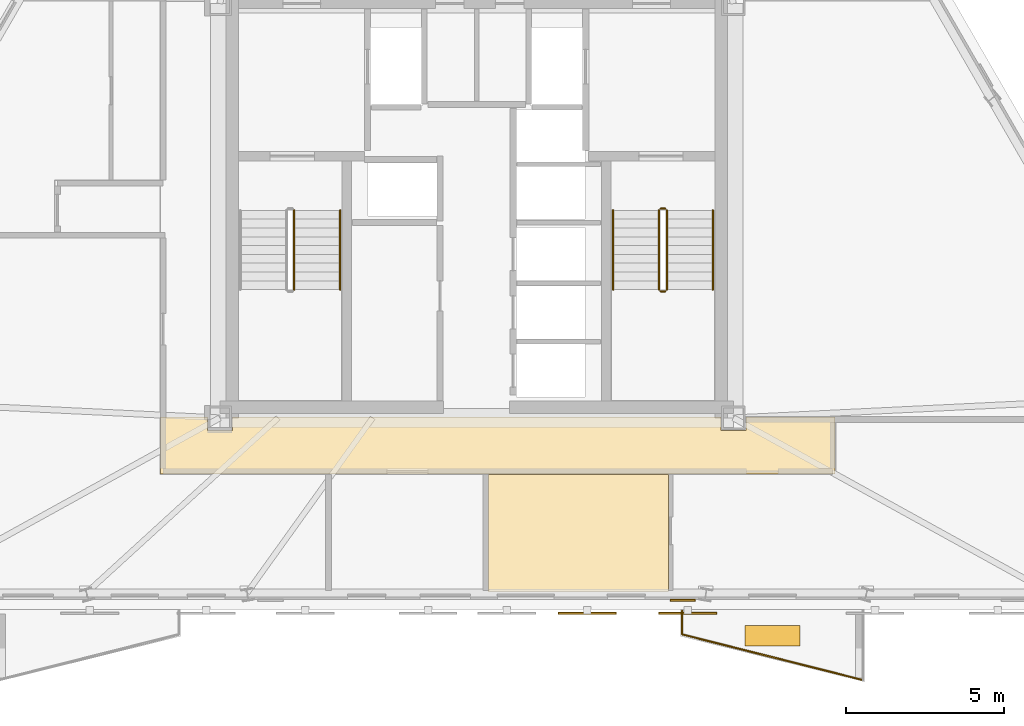
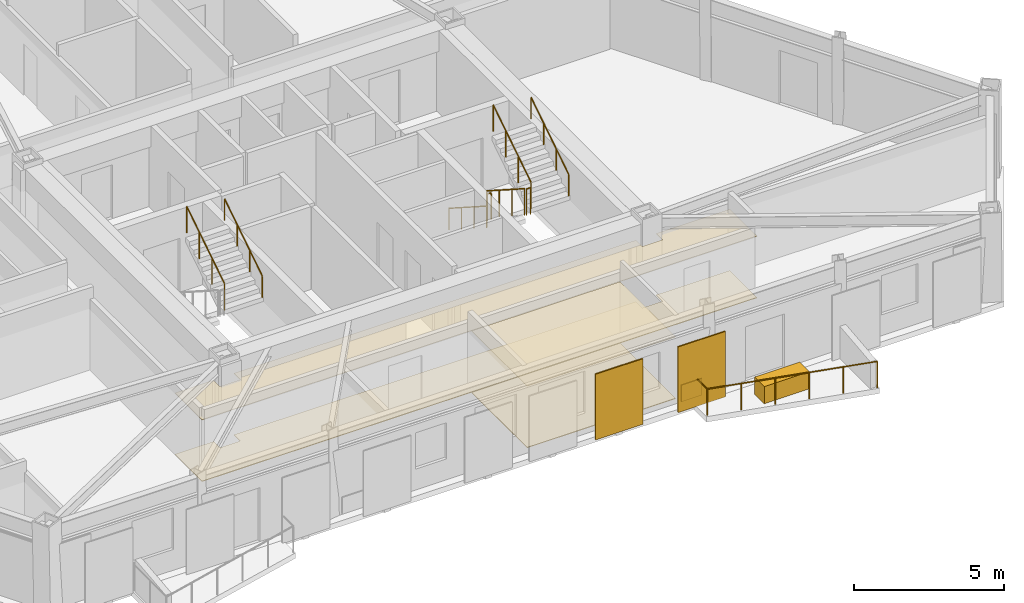
# One storey, part 7 of 9: 10 railings, 6 coverings, 2 shading devices.
"""IFC4 building model written with IfcOpenShell, lengths in metres."""

import ifcopenshell
import ifcopenshell.guid

model = None  # the IFC model being written
_history = None  # IfcOwnerHistory: only IFC2X3 demands one
_inside = {}  # id of a spatial element -> (the spatial element, [elements in it])
_under = {}  # id of a project, library or spatial element -> (it, [spatial elements below it])
_declared = {}  # id of a project -> (the project, [libraries it declares])
_typed = {}  # id of a type object -> (the type object, [elements of that type])
_made_of = {}  # id of a material, layer set ... -> (it, [elements and type objects made of it])


def new_model(schema):
    """Start an empty IFC model of exactly this schema.

    Asked for "IFC4X3", IfcOpenShell would pick the latest addendum, in which some entities
    have other attributes; the version numbers below select the first issue.
    IFC2X3 requires an IfcOwnerHistory on every rooted entity: one is made here for all.
    """
    global model, _history
    if schema == "IFC4X3":
        model = ifcopenshell.file(schema_version=(4, 3, 0, 0))
    else:
        model = ifcopenshell.file(schema=schema)
    _inside.clear()
    _under.clear()
    _declared.clear()
    _typed.clear()
    _made_of.clear()
    _history = None
    if model.schema == "IFC2X3":
        org = make("IfcOrganization", Name="unknown")
        user = make(
            "IfcPersonAndOrganization",
            ThePerson=make("IfcPerson", FamilyName="unknown"),
            TheOrganization=org,
        )
        app = make(
            "IfcApplication",
            ApplicationDeveloper=org,
            Version="unknown",
            ApplicationFullName="unknown",
            ApplicationIdentifier="unknown",
        )
        _history = make(
            "IfcOwnerHistory",
            OwningUser=user,
            OwningApplication=app,
            ChangeAction="ADDED",
            CreationDate=0,
        )
    return model


def make(cls, **values):
    """One entity of the class cls with the attributes given. An attribute that is None is left unset."""
    return model.create_entity(
        cls, **{name: value for name, value in values.items() if value is not None}
    )


def rooted(cls, **values):
    """An entity with a GlobalId (a new one), such as an element, a storey or a relation."""
    return make(cls, GlobalId=ifcopenshell.guid.new(), OwnerHistory=_history, **values)


def si_unit(unit_type, name, prefix=None):
    """IfcSIUnit, for example si_unit("LENGTHUNIT", "METRE", prefix="MILLI")."""
    return make("IfcSIUnit", UnitType=unit_type, Prefix=prefix, Name=name)


def assignment(units):
    """IfcUnitAssignment: the units of a project."""
    return None if units is None else make("IfcUnitAssignment", Units=units)


def point(xyz):
    """IfcCartesianPoint."""
    return None if xyz is None else make("IfcCartesianPoint", Coordinates=xyz)


def direction(xyz):
    """IfcDirection."""
    return None if xyz is None else make("IfcDirection", DirectionRatios=xyz)


def frame(location, z_axis=None, x_axis=None):
    """IfcAxis2Placement3D, a coordinate frame: its origin and axes. An axis left out is left unset."""
    return make(
        "IfcAxis2Placement3D",
        Location=point(location),
        Axis=direction(z_axis),
        RefDirection=direction(x_axis),
    )


def frame_2d(location, x_axis=None):
    """IfcAxis2Placement2D, a coordinate frame in the plane: its origin and x axis."""
    return make(
        "IfcAxis2Placement2D", Location=point(location), RefDirection=direction(x_axis)
    )


def origin():
    """The frame at (0, 0, 0) with its axes left unset."""
    return frame((0.0, 0.0, 0.0))


def origin_2d():
    """The frame at (0, 0) in the plane with its x axis left unset."""
    return frame_2d((0.0, 0.0))


def place(relative_to, where):
    """IfcLocalPlacement: puts the frame where relative to a parent placement (None: the world)."""
    return make(
        "IfcLocalPlacement", PlacementRelTo=relative_to, RelativePlacement=where
    )


def context(
    kind, dimensions, precision=None, world=None, true_north=None, identifier=None
):
    """IfcGeometricRepresentationContext, for example the 3D "Model" context."""
    return make(
        "IfcGeometricRepresentationContext",
        ContextIdentifier=identifier,
        ContextType=kind,
        CoordinateSpaceDimension=dimensions,
        Precision=precision,
        WorldCoordinateSystem=world,
        TrueNorth=true_north,
    )


def subcontext(parent, identifier, kind, view, scale=None):
    """IfcGeometricRepresentationSubContext, for example "Body" below "Model"."""
    return make(
        "IfcGeometricRepresentationSubContext",
        ContextIdentifier=identifier,
        ContextType=kind,
        ParentContext=parent,
        TargetScale=scale,
        TargetView=view,
    )


def project(units=None, contexts=None):
    """IfcProject with its units and contexts."""
    return rooted(
        "IfcProject",
        Name="project",
        RepresentationContexts=contexts,
        UnitsInContext=assignment(units),
    )


def spatial(cls, under=None, at=None, **own):
    """A site, building, storey or space (cls), placed at a placement, below another one or the project."""
    s = rooted(cls, ObjectPlacement=at, **own)
    if under is not None:
        _under.setdefault(under.id(), (under, []))[1].append(s)
    return s


def polyline(points):
    """IfcPolyline through the points."""
    return make("IfcPolyline", Points=[point(p) for p in points])


def profile(cls, at=None, kind="AREA", **sizes):
    """A parametric profile (cls). Its sizes go by their IFC names, for example OverallWidth=200.0."""
    return make(cls, ProfileType=kind, Position=at, **sizes)


def rectangle(**sizes):
    """IfcRectangleProfileDef."""
    return profile("IfcRectangleProfileDef", **sizes)


def circle(**sizes):
    """IfcCircleProfileDef."""
    return profile("IfcCircleProfileDef", **sizes)


def outline(outer, holes=None, kind="AREA"):
    """IfcArbitraryClosedProfileDef: a profile drawn as a closed curve; with holes, ...WithVoids."""
    if holes is None:
        return make("IfcArbitraryClosedProfileDef", ProfileType=kind, OuterCurve=outer)
    return make(
        "IfcArbitraryProfileDefWithVoids",
        ProfileType=kind,
        OuterCurve=outer,
        InnerCurves=holes,
    )


def extrude(swept, where, along, depth):
    """IfcExtrudedAreaSolid: the profile swept, set in the frame where, extruded along a direction by depth."""
    return make(
        "IfcExtrudedAreaSolid",
        SweptArea=swept,
        Position=where,
        ExtrudedDirection=direction(along),
        Depth=depth,
    )


def shape(context_of_items, identifier, shape_type, items):
    """IfcShapeRepresentation: the items that make up one representation, for example the "Body"."""
    return make(
        "IfcShapeRepresentation",
        ContextOfItems=context_of_items,
        RepresentationIdentifier=identifier,
        RepresentationType=shape_type,
        Items=items,
    )


def material(Name=None, Category=None):
    """IfcMaterial."""
    return make("IfcMaterial", Name=Name, Category=Category)


def layer(
    of_material, thickness, ventilated=None, Name=None, Category=None, Priority=None
):
    """IfcMaterialLayer: one layer of a wall or slab, of a material (None: an air gap)."""
    return make(
        "IfcMaterialLayer",
        Material=of_material,
        LayerThickness=thickness,
        IsVentilated=ventilated,
        Name=Name,
        Category=Category,
        Priority=Priority,
    )


def layer_set(layers, Name=None):
    """IfcMaterialLayerSet."""
    return make("IfcMaterialLayerSet", MaterialLayers=layers, LayerSetName=Name)


def made_of(thing, what):
    """Note that an element or type object is made of a material, layer set ...; save() writes the relation."""
    if what is not None:
        _made_of.setdefault(what.id(), (what, []))[1].append(thing)
    return thing


def type_object(cls, material=None, **own):
    """A type object (cls), such as IfcWallType, which elements share."""
    return made_of(rooted(cls, **own), material)


def element(
    cls,
    number,
    at=None,
    inside=None,
    cuts=None,
    type_object=None,
    material=None,
    context=None,
    identifier="Body",
    shape_type=None,
    held_by="IfcProductDefinitionShape",
    body=None,
    shapes=None,
    **own,
):
    """One element of the class cls, such as IfcWall. Its Tag is "e" and its number.

    at: its placement. inside: the storey or other place that contains it. cuts: it is an
    opening in that element (IfcRelVoidsElement). A single representation is given by context,
    identifier, shape_type and body (its items); several are given by shapes. held_by: the class
    of the entity that holds the representations. save() writes the other relations.
    """
    e = rooted(cls, Tag="e%d" % number, ObjectPlacement=at, **own)
    if body is not None:
        shapes = [shape(context, identifier, shape_type, body)]
    if shapes is not None:
        e.Representation = make(held_by, Representations=shapes)
    if inside is not None:
        _inside.setdefault(inside.id(), (inside, []))[1].append(e)
    if cuts is not None:
        rooted(
            "IfcRelVoidsElement", RelatingBuildingElement=cuts, RelatedOpeningElement=e
        )
    if type_object is not None:
        _typed.setdefault(type_object.id(), (type_object, []))[1].append(e)
    return made_of(e, material)


def aggregate(whole, parts):
    """IfcRelAggregates: a whole, such as a stair, and the parts it consists of."""
    return rooted("IfcRelAggregates", RelatingObject=whole, RelatedObjects=parts)


def save(model, path):
    """Write the relations noted so far, then the file.

    IfcRelAggregates (storeys below a building ...), IfcRelContainedInSpatialStructure (elements
    in a storey), IfcRelDefinesByType, IfcRelAssociatesMaterial and IfcRelDeclares: one each for
    every whole, place, type object, material and project.
    """
    for whole, parts in _under.values():
        aggregate(whole, parts)
    for where, things in _inside.values():
        rooted(
            "IfcRelContainedInSpatialStructure",
            RelatedElements=things,
            RelatingStructure=where,
        )
    for kind, things in _typed.values():
        rooted("IfcRelDefinesByType", RelatedObjects=things, RelatingType=kind)
    for what, things in _made_of.values():
        rooted("IfcRelAssociatesMaterial", RelatedObjects=things, RelatingMaterial=what)
    for by, libraries in _declared.values():
        rooted("IfcRelDeclares", RelatingContext=by, RelatedDefinitions=libraries)
    model.write(path)


model = new_model("IFC4")

# Units and contexts
model_context = context("Model", 3, precision=1e-05, world=origin(), true_north=direction((0.0, 1.0)))
body_context = subcontext(model_context, "Body", "Model", "MODEL_VIEW")
ifc_project = project(units=[si_unit("LENGTHUNIT", "METRE"), si_unit("AREAUNIT", "SQUARE_METRE"), si_unit("VOLUMEUNIT", "CUBIC_METRE"), si_unit("PLANEANGLEUNIT", "RADIAN"), si_unit("MASSUNIT", "GRAM", prefix="KILO")], contexts=[model_context])

# Site, building, storey
site_placement = place(None, origin())
site = spatial("IfcSite", under=ifc_project, at=site_placement, CompositionType="ELEMENT")
building_placement = place(site_placement, origin())
building = spatial("IfcBuilding", under=site, at=building_placement, Name="Oramaril Tower", CompositionType="ELEMENT")
storey_placement = place(building_placement, frame((0.0, 0.0, 201.0)))
storey = spatial("IfcBuildingStorey", under=building, at=storey_placement, Name="L53", CompositionType="ELEMENT", Elevation=201.0)

# Coverings
ifc_material_1 = material(Name="Mineral Fibre Acoustic Ceiling")
ifc_layer_1 = layer(ifc_material_1, 0.02001953125)
ifc_layer_set_1 = layer_set([ifc_layer_1], Name="CVT-CEIL")
covering_type_1 = type_object("IfcCoveringType", Name="CVT-CEIL", PredefinedType="CEILING", material=ifc_layer_set_1)
covering_1_placement = place(storey_placement, frame((0.0, 0.0, 2.511962890625)))
element("IfcCovering", 1, at=covering_1_placement, inside=storey, type_object=covering_type_1, Name="L53 Acoustic Suspended Ceiling 1", PredefinedType="CEILING", context=body_context, shape_type="SweptSolid", body=[
    extrude(outline(polyline([(28.955078125, 10.60498046875), (29.7451171875, 10.60498046875), (29.7451171875, 11.030029296875), (45.2548828125, 11.030029296875), (45.2548828125, 10.60498046875), (46.044921875, 10.60498046875), (46.044921875, 11.030029296875), (48.8798828125, 11.030029296875), (48.8798828125, 9.219970703125), (27.469970703125, 9.219970703125), (27.469970703125, 11.030029296875), (28.955078125, 11.030029296875), (28.955078125, 10.60498046875)])), origin(), (0.0, 0.0, 1.0), 0.02001953125),
])
covering_2_placement = place(storey_placement, frame((0.0, 0.0, 2.511962890625)))
element("IfcCovering", 2, at=covering_2_placement, inside=storey, type_object=covering_type_1, Name="L53 Acoustic Suspended Ceiling 8", PredefinedType="CEILING", context=body_context, shape_type="SweptSolid", body=[
    extrude(outline(polyline([(37.862060546875, 5.48876953125), (37.862060546875, 9.199951171875), (43.59521484375, 9.199951171875), (43.59521484375, 5.48876953125), (37.862060546875, 5.48876953125)])), origin(), (0.0, 0.0, 1.0), 0.02001953125),
])
ifc_material_2 = material(Name="Warm Cream Limestone", Category="masonry")
ifc_layer_2 = layer(ifc_material_2, 0.050048828125)
ifc_layer_set_2 = layer_set([ifc_layer_2], Name="CVT-CLD")
covering_type_2 = type_object("IfcCoveringType", Name="CVT-CLD", PredefinedType="CLADDING", material=ifc_layer_set_2)
covering_3_placement = place(storey_placement, frame((44.043212890625, 5.212646484375, 0.0400390625), z_axis=(0.0, 0.0, 1.0), x_axis=(1.0, 0.0, 0.0)))
element("IfcCovering", 3, at=covering_3_placement, inside=storey, type_object=covering_type_2, Name="L53 Warm Cream Limestone Spandrel Cladding", PredefinedType="CLADDING", context=body_context, shape_type="SweptSolid", body=[
    extrude(rectangle(XDim=0.800048828125, YDim=0.050048828125, at=origin_2d()), origin(), (0.0, 0.0, 1.0), 0.679931640625),
])
covering_4_placement = place(storey_placement, frame((46.8916015625, 4.084228515625, 0.0), z_axis=(0.0, 0.0, 1.0), x_axis=(1.0, 0.0, 0.0)))
element("IfcCovering", 4, at=covering_4_placement, inside=storey, type_object=covering_type_2, Name="L53 Structural Tree Planter Box L53-BAL-S2", PredefinedType="CLADDING", context=body_context, shape_type="SweptSolid", body=[
    extrude(rectangle(XDim=1.75, YDim=0.64990234375, at=origin_2d()), origin(), (0.0, 0.0, 1.0), 0.699951171875),
])
ifc_material_3 = material(Name="Honed Quartzite Stone Flooring", Category="masonry")
ifc_layer_3 = layer(ifc_material_3, 0.02490234375)
ifc_layer_set_3 = layer_set([ifc_layer_3], Name="CVT-FLR")
covering_type_3 = type_object("IfcCoveringType", Name="CVT-FLR", PredefinedType="FLOORING", material=ifc_layer_set_3)
covering_5_placement = place(storey_placement, origin())
element("IfcCovering", 5, at=covering_5_placement, inside=storey, type_object=covering_type_3, Name="L53 Honed Stone Floor Finish 1", PredefinedType="FLOORING", context=body_context, shape_type="SweptSolid", body=[
    extrude(outline(polyline([(28.955078125, 10.60498046875), (29.7451171875, 10.60498046875), (29.7451171875, 11.030029296875), (45.2548828125, 11.030029296875), (45.2548828125, 10.60498046875), (46.044921875, 10.60498046875), (46.044921875, 11.030029296875), (48.8798828125, 11.030029296875), (48.8798828125, 9.219970703125), (27.469970703125, 9.219970703125), (27.469970703125, 11.030029296875), (28.955078125, 11.030029296875), (28.955078125, 10.60498046875)])), origin(), (0.0, 0.0, 1.0), 0.02490234375),
])
covering_6_placement = place(storey_placement, origin())
element("IfcCovering", 6, at=covering_6_placement, inside=storey, type_object=covering_type_3, Name="L53 Honed Stone Floor Finish 8", PredefinedType="FLOORING", context=body_context, shape_type="SweptSolid", body=[
    extrude(outline(polyline([(37.862060546875, 5.48876953125), (37.862060546875, 9.199951171875), (43.59521484375, 9.199951171875), (43.59521484375, 5.48876953125), (37.862060546875, 5.48876953125)])), origin(), (0.0, 0.0, 1.0), 0.02490234375),
])

# Railings
ifc_material_4 = material(Name="Stainless Steel 316L", Category="steel")
railing_type_1 = type_object("IfcRailingType", Name="RLT-GRD", PredefinedType="GUARDRAIL", material=ifc_material_4)
railing_1_placement = place(storey_placement, frame((49.756591796875, 2.6806640625, 0.0)))
element("IfcRailing", 7, at=railing_1_placement, inside=storey, type_object=railing_type_1, Name="L53 Balcony Guardrail L53-BAL-S2.2", PredefinedType="GUARDRAIL", context=body_context, shape_type="SweptSolid", body=[
    extrude(circle(Radius=0.02392578125, at=origin_2d()), frame((0.0, 0.0, 1.076171875), z_axis=(-0.969443611257, 0.245314256807, 0.0), x_axis=(-0.245314256807, -0.969443611257, 0.0)), (0.0, 0.0, 1.0), 5.91064453125),
    extrude(circle(Radius=0.02099609375, at=origin_2d()), origin(), (0.0, 0.0, 1.0), 1.052001953125),
    extrude(circle(Radius=0.02099609375, at=origin_2d()), frame((-1.14599609375, 0.2900390625, 0.0)), (0.0, 0.0, 1.0), 1.052001953125),
    extrude(circle(Radius=0.02099609375, at=origin_2d()), frame((-2.2919921875, 0.580078125, 0.0)), (0.0, 0.0, 1.0), 1.052001953125),
    extrude(circle(Radius=0.02099609375, at=origin_2d()), frame((-3.43798828125, 0.869873046875, 0.0)), (0.0, 0.0, 1.0), 1.052001953125),
    extrude(circle(Radius=0.02099609375, at=origin_2d()), frame((-4.583984375, 1.159912109375, 0.0)), (0.0, 0.0, 1.0), 1.052001953125),
    extrude(circle(Radius=0.02099609375, at=origin_2d()), frame((-5.72998046875, 1.449951171875, 0.0)), (0.0, 0.0, 1.0), 1.052001953125),
])
railing_2_placement = place(storey_placement, frame((44.026611328125, 4.130615234375, 0.0)))
element("IfcRailing", 8, at=railing_2_placement, inside=storey, type_object=railing_type_1, Name="L53 Balcony Guardrail L53-BAL-S2.3", PredefinedType="GUARDRAIL", context=body_context, shape_type="SweptSolid", body=[
    extrude(circle(Radius=0.02392578125, at=origin_2d()), frame((0.0, 0.0, 1.076171875), z_axis=(0.0, 1.0, 0.0), x_axis=(-1.0, 0.0, 0.0)), (0.0, 0.0, 1.0), 0.7421875),
    extrude(circle(Radius=0.02099609375, at=origin_2d()), origin(), (0.0, 0.0, 1.0), 1.052001953125),
    extrude(circle(Radius=0.02099609375, at=origin_2d()), frame((0.0, 0.7421875, 0.0)), (0.0, 0.0, 1.0), 1.052001953125),
])
railing_3_placement = place(storey_placement, frame((31.7099609375, 15.070068359375, 1.97998046875)))
element("IfcRailing", 9, at=railing_3_placement, inside=storey, type_object=railing_type_1, Name="L53 ST-1 stair guard 3", PredefinedType="GUARDRAIL", context=body_context, shape_type="SweptSolid", body=[
    extrude(circle(Radius=0.02392578125, at=origin_2d()), frame((0.0, 0.0, 1.076171875), z_axis=(0.0, 0.841162588446, 0.540782303519), x_axis=(-1.0, 0.0, 0.0)), (0.0, 0.0, 1.0), 2.995849609375),
    extrude(circle(Radius=0.02099609375, at=origin_2d()), origin(), (0.0, 0.0, 1.0), 1.052001953125),
    extrude(circle(Radius=0.02099609375, at=origin_2d()), frame((0.0, 0.840087890625, 0.5400390625)), (0.0, 0.0, 1.0), 1.052001953125),
    extrude(circle(Radius=0.02099609375, at=origin_2d()), frame((0.0, 1.679931640625, 1.080078125)), (0.0, 0.0, 1.0), 1.052001953125),
    extrude(circle(Radius=0.02099609375, at=origin_2d()), frame((0.0, 2.52001953125, 1.6201171875)), (0.0, 0.0, 1.0), 1.052001953125),
])
railing_4_placement = place(storey_placement, frame((43.2900390625, 17.590087890625, 0.179931640625)))
element("IfcRailing", 10, at=railing_4_placement, inside=storey, type_object=railing_type_1, Name="L53 ST-2 stair guard 1", PredefinedType="GUARDRAIL", context=body_context, shape_type="SweptSolid", body=[
    extrude(circle(Radius=0.02392578125, at=origin_2d()), frame((0.0, 0.0, 1.076171875), z_axis=(0.0, -0.841162588446, 0.540782303519), x_axis=(1.0, 0.0, 0.0)), (0.0, 0.0, 1.0), 2.995849609375),
    extrude(circle(Radius=0.02099609375, at=origin_2d()), origin(), (0.0, 0.0, 1.0), 1.052001953125),
    extrude(circle(Radius=0.02099609375, at=origin_2d()), frame((0.0, -0.840087890625, 0.5400390625)), (0.0, 0.0, 1.0), 1.052001953125),
    extrude(circle(Radius=0.02099609375, at=origin_2d()), frame((0.0, -1.679931640625, 1.080078125)), (0.0, 0.0, 1.0), 1.052001953125),
    extrude(circle(Radius=0.02099609375, at=origin_2d()), frame((0.0, -2.52001953125, 1.6201171875)), (0.0, 0.0, 1.0), 1.052001953125),
])
railing_5_placement = place(storey_placement, frame((43.340087890625, 15.02001953125, 1.800048828125)))
element("IfcRailing", 11, at=railing_5_placement, inside=storey, type_object=railing_type_1, Name="L53 ST-2 stair guard 2", PredefinedType="GUARDRAIL", context=body_context, shape_type="SweptSolid", body=[
    extrude(circle(Radius=0.02392578125, at=origin_2d()), frame((0.0, 0.0, 1.076171875), z_axis=(1.0, 0.0, 0.0), x_axis=(0.0, 1.0, 0.0)), (0.0, 0.0, 1.0), 0.14990234375),
    extrude(circle(Radius=0.02099609375, at=origin_2d()), origin(), (0.0, 0.0, 1.0), 1.052001953125),
    extrude(circle(Radius=0.02099609375, at=origin_2d()), frame((0.14990234375, 0.0, 0.0)), (0.0, 0.0, 1.0), 1.052001953125),
])
railing_6_placement = place(storey_placement, frame((43.5400390625, 15.070068359375, 1.97998046875)))
element("IfcRailing", 12, at=railing_6_placement, inside=storey, type_object=railing_type_1, Name="L53 ST-2 stair guard 3", PredefinedType="GUARDRAIL", context=body_context, shape_type="SweptSolid", body=[
    extrude(circle(Radius=0.02392578125, at=origin_2d()), frame((0.0, 0.0, 1.076171875), z_axis=(0.0, 0.841162588446, 0.540782303519), x_axis=(-1.0, 0.0, 0.0)), (0.0, 0.0, 1.0), 2.995849609375),
    extrude(circle(Radius=0.02099609375, at=origin_2d()), origin(), (0.0, 0.0, 1.0), 1.052001953125),
    extrude(circle(Radius=0.02099609375, at=origin_2d()), frame((0.0, 0.840087890625, 0.5400390625)), (0.0, 0.0, 1.0), 1.052001953125),
    extrude(circle(Radius=0.02099609375, at=origin_2d()), frame((0.0, 1.679931640625, 1.080078125)), (0.0, 0.0, 1.0), 1.052001953125),
    extrude(circle(Radius=0.02099609375, at=origin_2d()), frame((0.0, 2.52001953125, 1.6201171875)), (0.0, 0.0, 1.0), 1.052001953125),
])
railing_7_placement = place(storey_placement, frame((43.340087890625, 17.639892578125, 0.0)))
element("IfcRailing", 13, at=railing_7_placement, inside=storey, type_object=railing_type_1, Name="L53 ST-2 stair guard 4", PredefinedType="GUARDRAIL", context=body_context, shape_type="SweptSolid", body=[
    extrude(circle(Radius=0.02392578125, at=origin_2d()), frame((0.0, 0.0, 1.076171875), z_axis=(1.0, 0.0, 0.0), x_axis=(0.0, 1.0, 0.0)), (0.0, 0.0, 1.0), 0.14990234375),
    extrude(circle(Radius=0.02099609375, at=origin_2d()), origin(), (0.0, 0.0, 1.0), 1.052001953125),
    extrude(circle(Radius=0.02099609375, at=origin_2d()), frame((0.14990234375, 0.0, 0.0)), (0.0, 0.0, 1.0), 1.052001953125),
])
ifc_material_5 = material(Name="Stainless Steel 316L", Category="steel")
railing_type_2 = type_object("IfcRailingType", Name="RLT-HND", PredefinedType="HANDRAIL", material=ifc_material_5)
railing_8_placement = place(storey_placement, frame((33.169921875, 15.070068359375, 1.97998046875)))
element("IfcRailing", 14, at=railing_8_placement, inside=storey, type_object=railing_type_2, Name="L53 ST-1 stair handrail 2", PredefinedType="HANDRAIL", context=body_context, shape_type="SweptSolid", body=[
    extrude(circle(Radius=0.02392578125, at=origin_2d()), frame((0.0, 0.0, 0.8759765625), z_axis=(0.0, 0.841162588446, 0.540782303519), x_axis=(-1.0, 0.0, 0.0)), (0.0, 0.0, 1.0), 2.995849609375),
    extrude(circle(Radius=0.02099609375, at=origin_2d()), origin(), (0.0, 0.0, 1.0), 0.851806640625),
    extrude(circle(Radius=0.02099609375, at=origin_2d()), frame((0.0, 0.840087890625, 0.5400390625)), (0.0, 0.0, 1.0), 0.851806640625),
    extrude(circle(Radius=0.02099609375, at=origin_2d()), frame((0.0, 1.679931640625, 1.080078125)), (0.0, 0.0, 1.0), 0.851806640625),
    extrude(circle(Radius=0.02099609375, at=origin_2d()), frame((0.0, 2.52001953125, 1.6201171875)), (0.0, 0.0, 1.0), 0.851806640625),
])
railing_9_placement = place(storey_placement, frame((41.830078125, 17.590087890625, 0.179931640625)))
element("IfcRailing", 15, at=railing_9_placement, inside=storey, type_object=railing_type_2, Name="L53 ST-2 stair handrail 1", PredefinedType="HANDRAIL", context=body_context, shape_type="SweptSolid", body=[
    extrude(circle(Radius=0.02392578125, at=origin_2d()), frame((0.0, 0.0, 0.8759765625), z_axis=(0.0, -0.841162588446, 0.540782303519), x_axis=(1.0, 0.0, 0.0)), (0.0, 0.0, 1.0), 2.995849609375),
    extrude(circle(Radius=0.02099609375, at=origin_2d()), origin(), (0.0, 0.0, 1.0), 0.851806640625),
    extrude(circle(Radius=0.02099609375, at=origin_2d()), frame((0.0, -0.840087890625, 0.5400390625)), (0.0, 0.0, 1.0), 0.851806640625),
    extrude(circle(Radius=0.02099609375, at=origin_2d()), frame((0.0, -1.679931640625, 1.080078125)), (0.0, 0.0, 1.0), 0.851806640625),
    extrude(circle(Radius=0.02099609375, at=origin_2d()), frame((0.0, -2.52001953125, 1.6201171875)), (0.0, 0.0, 1.0), 0.851806640625),
])
railing_10_placement = place(storey_placement, frame((45.0, 15.070068359375, 1.97998046875)))
element("IfcRailing", 16, at=railing_10_placement, inside=storey, type_object=railing_type_2, Name="L53 ST-2 stair handrail 2", PredefinedType="HANDRAIL", context=body_context, shape_type="SweptSolid", body=[
    extrude(circle(Radius=0.02392578125, at=origin_2d()), frame((0.0, 0.0, 0.8759765625), z_axis=(0.0, 0.841162588446, 0.540782303519), x_axis=(-1.0, 0.0, 0.0)), (0.0, 0.0, 1.0), 2.995849609375),
    extrude(circle(Radius=0.02099609375, at=origin_2d()), origin(), (0.0, 0.0, 1.0), 0.851806640625),
    extrude(circle(Radius=0.02099609375, at=origin_2d()), frame((0.0, 0.840087890625, 0.5400390625)), (0.0, 0.0, 1.0), 0.851806640625),
    extrude(circle(Radius=0.02099609375, at=origin_2d()), frame((0.0, 1.679931640625, 1.080078125)), (0.0, 0.0, 1.0), 0.851806640625),
    extrude(circle(Radius=0.02099609375, at=origin_2d()), frame((0.0, 2.52001953125, 1.6201171875)), (0.0, 0.0, 1.0), 0.851806640625),
])

# Shading devices
for number, where, z_axis, x_axis, name in (
    (17, (41.00830078125, 4.80078125, -0.02001953125), (0.0, 0.0, 1.0), (1.0, 0.0, 0.0), "L53 Perforated Ceramic Solar Screen"),
    (18, (44.19873046875, 4.80078125, -0.02001953125), (0.0, 0.0, 1.0), (1.0, 0.0, 0.0), "L53 Perforated Ceramic Solar Screen"),
):
    element("IfcShadingDevice", number, at=place(storey_placement, frame(where, z_axis=z_axis, x_axis=x_axis)), inside=storey, Name=name, ObjectType="SCREEN", PredefinedType="USERDEFINED", context=body_context, shape_type="SweptSolid", body=[
        extrude(rectangle(XDim=1.8330078125, YDim=0.050048828125, at=origin_2d()), origin(), (0.0, 0.0, 1.0), 2.677001953125),
    ])

save(model, "model.ifc")
